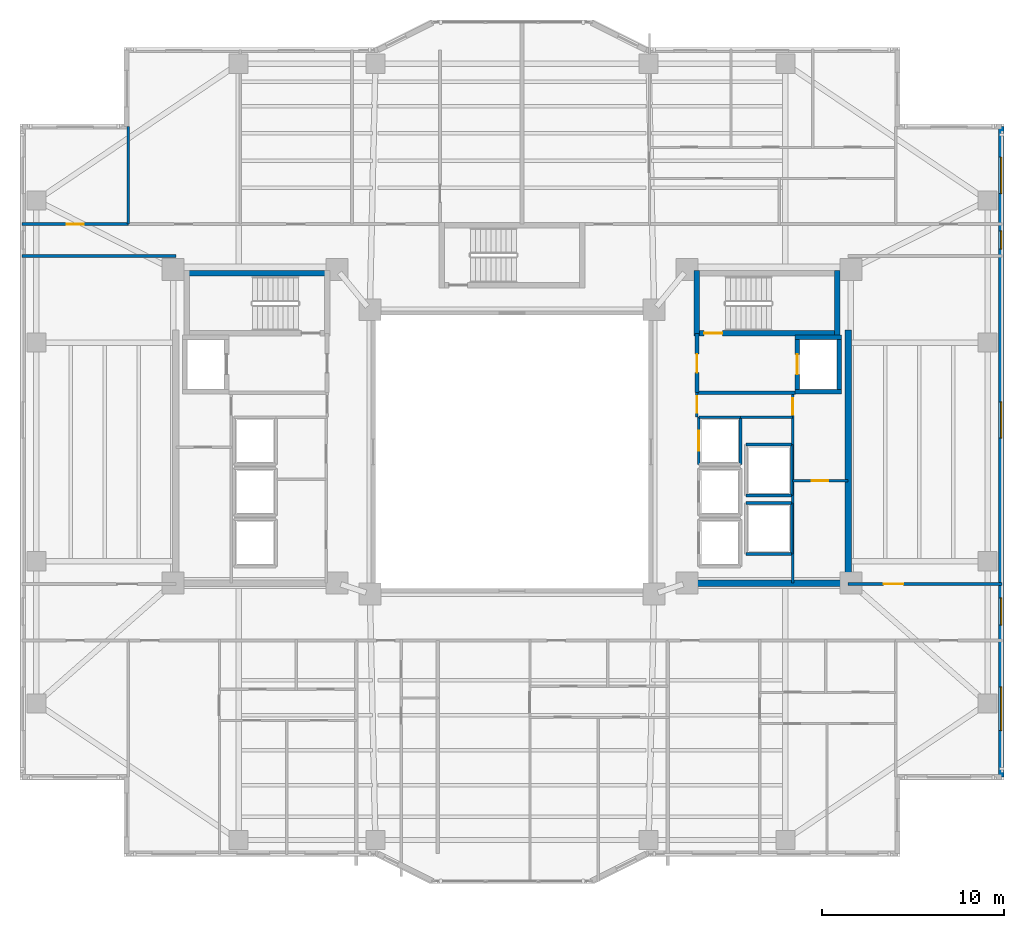
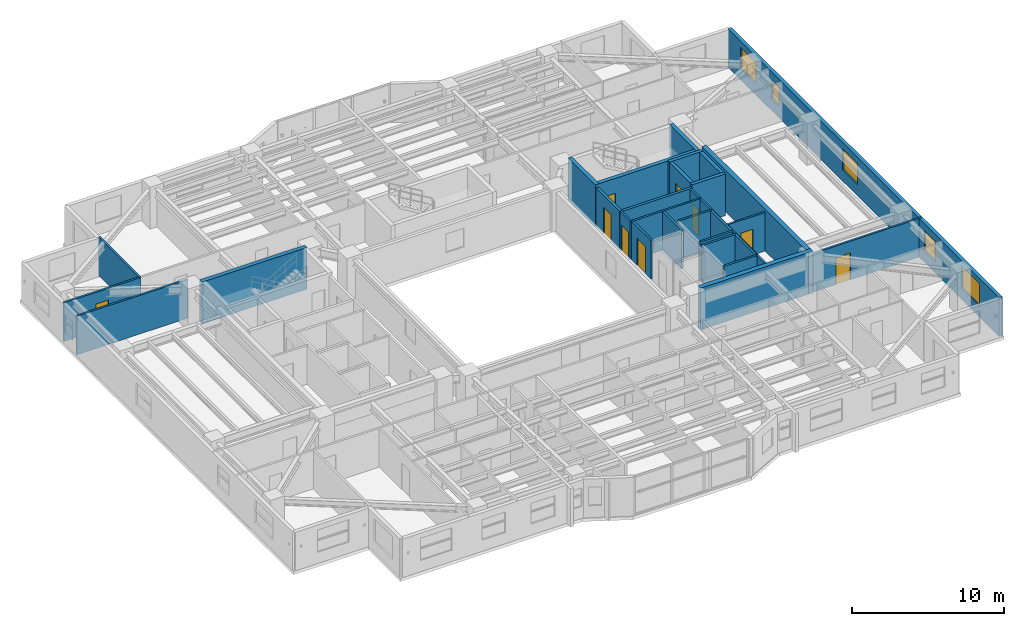
# One storey, part 9 of 18: 30 walls, 9 doors, 5 windows, 14 openings.
"""IFC4 building model written with IfcOpenShell, lengths in metres."""

import ifcopenshell
import ifcopenshell.guid

model = None  # the IFC model being written
_history = None  # IfcOwnerHistory: only IFC2X3 demands one
_inside = {}  # id of a spatial element -> (the spatial element, [elements in it])
_under = {}  # id of a project, library or spatial element -> (it, [spatial elements below it])
_declared = {}  # id of a project -> (the project, [libraries it declares])
_typed = {}  # id of a type object -> (the type object, [elements of that type])
_made_of = {}  # id of a material, layer set ... -> (it, [elements and type objects made of it])


def new_model(schema):
    """Start an empty IFC model of exactly this schema.

    Asked for "IFC4X3", IfcOpenShell would pick the latest addendum, in which some entities
    have other attributes; the version numbers below select the first issue.
    IFC2X3 requires an IfcOwnerHistory on every rooted entity: one is made here for all.
    """
    global model, _history
    if schema == "IFC4X3":
        model = ifcopenshell.file(schema_version=(4, 3, 0, 0))
    else:
        model = ifcopenshell.file(schema=schema)
    _inside.clear()
    _under.clear()
    _declared.clear()
    _typed.clear()
    _made_of.clear()
    _history = None
    if model.schema == "IFC2X3":
        org = make("IfcOrganization", Name="unknown")
        user = make(
            "IfcPersonAndOrganization",
            ThePerson=make("IfcPerson", FamilyName="unknown"),
            TheOrganization=org,
        )
        app = make(
            "IfcApplication",
            ApplicationDeveloper=org,
            Version="unknown",
            ApplicationFullName="unknown",
            ApplicationIdentifier="unknown",
        )
        _history = make(
            "IfcOwnerHistory",
            OwningUser=user,
            OwningApplication=app,
            ChangeAction="ADDED",
            CreationDate=0,
        )
    return model


def make(cls, **values):
    """One entity of the class cls with the attributes given. An attribute that is None is left unset."""
    return model.create_entity(
        cls, **{name: value for name, value in values.items() if value is not None}
    )


def rooted(cls, **values):
    """An entity with a GlobalId (a new one), such as an element, a storey or a relation."""
    return make(cls, GlobalId=ifcopenshell.guid.new(), OwnerHistory=_history, **values)


def si_unit(unit_type, name, prefix=None):
    """IfcSIUnit, for example si_unit("LENGTHUNIT", "METRE", prefix="MILLI")."""
    return make("IfcSIUnit", UnitType=unit_type, Prefix=prefix, Name=name)


def assignment(units):
    """IfcUnitAssignment: the units of a project."""
    return None if units is None else make("IfcUnitAssignment", Units=units)


def point(xyz):
    """IfcCartesianPoint."""
    return None if xyz is None else make("IfcCartesianPoint", Coordinates=xyz)


def direction(xyz):
    """IfcDirection."""
    return None if xyz is None else make("IfcDirection", DirectionRatios=xyz)


def frame(location, z_axis=None, x_axis=None):
    """IfcAxis2Placement3D, a coordinate frame: its origin and axes. An axis left out is left unset."""
    return make(
        "IfcAxis2Placement3D",
        Location=point(location),
        Axis=direction(z_axis),
        RefDirection=direction(x_axis),
    )


def frame_2d(location, x_axis=None):
    """IfcAxis2Placement2D, a coordinate frame in the plane: its origin and x axis."""
    return make(
        "IfcAxis2Placement2D", Location=point(location), RefDirection=direction(x_axis)
    )


def origin():
    """The frame at (0, 0, 0) with its axes left unset."""
    return frame((0.0, 0.0, 0.0))


def place(relative_to, where):
    """IfcLocalPlacement: puts the frame where relative to a parent placement (None: the world)."""
    return make(
        "IfcLocalPlacement", PlacementRelTo=relative_to, RelativePlacement=where
    )


def context(
    kind, dimensions, precision=None, world=None, true_north=None, identifier=None
):
    """IfcGeometricRepresentationContext, for example the 3D "Model" context."""
    return make(
        "IfcGeometricRepresentationContext",
        ContextIdentifier=identifier,
        ContextType=kind,
        CoordinateSpaceDimension=dimensions,
        Precision=precision,
        WorldCoordinateSystem=world,
        TrueNorth=true_north,
    )


def subcontext(parent, identifier, kind, view, scale=None):
    """IfcGeometricRepresentationSubContext, for example "Body" below "Model"."""
    return make(
        "IfcGeometricRepresentationSubContext",
        ContextIdentifier=identifier,
        ContextType=kind,
        ParentContext=parent,
        TargetScale=scale,
        TargetView=view,
    )


def project(units=None, contexts=None):
    """IfcProject with its units and contexts."""
    return rooted(
        "IfcProject",
        Name="project",
        RepresentationContexts=contexts,
        UnitsInContext=assignment(units),
    )


def spatial(cls, under=None, at=None, **own):
    """A site, building, storey or space (cls), placed at a placement, below another one or the project."""
    s = rooted(cls, ObjectPlacement=at, **own)
    if under is not None:
        _under.setdefault(under.id(), (under, []))[1].append(s)
    return s


def profile(cls, at=None, kind="AREA", **sizes):
    """A parametric profile (cls). Its sizes go by their IFC names, for example OverallWidth=200.0."""
    return make(cls, ProfileType=kind, Position=at, **sizes)


def rectangle(**sizes):
    """IfcRectangleProfileDef."""
    return profile("IfcRectangleProfileDef", **sizes)


def extrude(swept, where, along, depth):
    """IfcExtrudedAreaSolid: the profile swept, set in the frame where, extruded along a direction by depth."""
    return make(
        "IfcExtrudedAreaSolid",
        SweptArea=swept,
        Position=where,
        ExtrudedDirection=direction(along),
        Depth=depth,
    )


def shape(context_of_items, identifier, shape_type, items):
    """IfcShapeRepresentation: the items that make up one representation, for example the "Body"."""
    return make(
        "IfcShapeRepresentation",
        ContextOfItems=context_of_items,
        RepresentationIdentifier=identifier,
        RepresentationType=shape_type,
        Items=items,
    )


def material(Name=None, Category=None):
    """IfcMaterial."""
    return make("IfcMaterial", Name=Name, Category=Category)


def layer(
    of_material, thickness, ventilated=None, Name=None, Category=None, Priority=None
):
    """IfcMaterialLayer: one layer of a wall or slab, of a material (None: an air gap)."""
    return make(
        "IfcMaterialLayer",
        Material=of_material,
        LayerThickness=thickness,
        IsVentilated=ventilated,
        Name=Name,
        Category=Category,
        Priority=Priority,
    )


def layer_set(layers, Name=None):
    """IfcMaterialLayerSet."""
    return make("IfcMaterialLayerSet", MaterialLayers=layers, LayerSetName=Name)


def made_of(thing, what):
    """Note that an element or type object is made of a material, layer set ...; save() writes the relation."""
    if what is not None:
        _made_of.setdefault(what.id(), (what, []))[1].append(thing)
    return thing


def type_object(cls, material=None, **own):
    """A type object (cls), such as IfcWallType, which elements share."""
    return made_of(rooted(cls, **own), material)


def element(
    cls,
    number,
    at=None,
    inside=None,
    cuts=None,
    type_object=None,
    material=None,
    context=None,
    identifier="Body",
    shape_type=None,
    held_by="IfcProductDefinitionShape",
    body=None,
    shapes=None,
    **own,
):
    """One element of the class cls, such as IfcWall. Its Tag is "e" and its number.

    at: its placement. inside: the storey or other place that contains it. cuts: it is an
    opening in that element (IfcRelVoidsElement). A single representation is given by context,
    identifier, shape_type and body (its items); several are given by shapes. held_by: the class
    of the entity that holds the representations. save() writes the other relations.
    """
    e = rooted(cls, Tag="e%d" % number, ObjectPlacement=at, **own)
    if body is not None:
        shapes = [shape(context, identifier, shape_type, body)]
    if shapes is not None:
        e.Representation = make(held_by, Representations=shapes)
    if inside is not None:
        _inside.setdefault(inside.id(), (inside, []))[1].append(e)
    if cuts is not None:
        rooted(
            "IfcRelVoidsElement", RelatingBuildingElement=cuts, RelatedOpeningElement=e
        )
    if type_object is not None:
        _typed.setdefault(type_object.id(), (type_object, []))[1].append(e)
    return made_of(e, material)


def fill(opening, filler):
    """IfcRelFillsElement: the door or window that sits in an opening."""
    return rooted(
        "IfcRelFillsElement",
        RelatingOpeningElement=opening,
        RelatedBuildingElement=filler,
    )


def aggregate(whole, parts):
    """IfcRelAggregates: a whole, such as a stair, and the parts it consists of."""
    return rooted("IfcRelAggregates", RelatingObject=whole, RelatedObjects=parts)


def save(model, path):
    """Write the relations noted so far, then the file.

    IfcRelAggregates (storeys below a building ...), IfcRelContainedInSpatialStructure (elements
    in a storey), IfcRelDefinesByType, IfcRelAssociatesMaterial and IfcRelDeclares: one each for
    every whole, place, type object, material and project.
    """
    for whole, parts in _under.values():
        aggregate(whole, parts)
    for where, things in _inside.values():
        rooted(
            "IfcRelContainedInSpatialStructure",
            RelatedElements=things,
            RelatingStructure=where,
        )
    for kind, things in _typed.values():
        rooted("IfcRelDefinesByType", RelatedObjects=things, RelatingType=kind)
    for what, things in _made_of.values():
        rooted("IfcRelAssociatesMaterial", RelatedObjects=things, RelatingMaterial=what)
    for by, libraries in _declared.values():
        rooted("IfcRelDeclares", RelatingContext=by, RelatedDefinitions=libraries)
    model.write(path)


model = new_model("IFC4")

# Units and contexts
model_context = context("Model", 3, precision=1e-05, world=origin(), true_north=direction((0.0, 1.0)))
body_context = subcontext(model_context, "Body", "Model", "MODEL_VIEW")
ifc_project = project(units=[si_unit("LENGTHUNIT", "METRE"), si_unit("AREAUNIT", "SQUARE_METRE"), si_unit("VOLUMEUNIT", "CUBIC_METRE"), si_unit("PLANEANGLEUNIT", "RADIAN"), si_unit("MASSUNIT", "GRAM", prefix="KILO")], contexts=[model_context])

# Site, building, storey
site_placement = place(None, origin())
site = spatial("IfcSite", under=ifc_project, at=site_placement, CompositionType="ELEMENT")
building_placement = place(site_placement, origin())
building = spatial("IfcBuilding", under=site, at=building_placement, Name="Tarnavaz Court Tower", CompositionType="ELEMENT")
storey_placement = place(building_placement, frame((0.0, 0.0, 85.0)))
storey = spatial("IfcBuildingStorey", under=building, at=storey_placement, Name="L22", CompositionType="ELEMENT", Elevation=85.0)

# Wall, opening, door
ifc_material_1 = material(Name="Concrete C60/75", Category="concrete")
ifc_layer_1 = layer(ifc_material_1, 0.25)
ifc_layer_set_1 = layer_set([ifc_layer_1], Name="Concrete C60/75")
wall_type_1 = type_object("IfcWallType", Name="WL-CORE-250-C60", PredefinedType="SHEAR", material=ifc_layer_set_1)
wall_1_placement = place(storey_placement, frame((15.64990234375, 3.175048828125, 0.0), z_axis=(0.0, 0.0, 1.0), x_axis=(0.0, 1.0, 0.0)))
wall_1 = element("IfcWall", 1, at=wall_1_placement, inside=storey, type_object=wall_type_1, Name="L22 Lift FL-E1 Shaft Wall 033", PredefinedType="SHEAR", context=body_context, shape_type="SweptSolid", body=[
    extrude(rectangle(XDim=3.25, YDim=0.25, at=frame_2d((1.625, 0.0))), origin(), (0.0, 0.0, 1.0), 3.35009765625),
])
opening_1_placement = place(wall_1_placement, frame((1.074951171875, 0.0, 0.0)))
opening_1 = element("IfcOpeningElement", 2, at=opening_1_placement, cuts=wall_1, Name="Opening LD1", PredefinedType="OPENING", context=body_context, shape_type="SweptSolid", body=[
    extrude(rectangle(XDim=1.10009765625, YDim=2.14990234375, at=frame_2d((0.550048828125, 1.074951171875))), frame((0.0, 0.135009765625, 0.0), z_axis=(0.0, -1.0, 0.0), x_axis=(1.0, 0.0, 0.0)), (0.0, 0.0, 1.0), 0.27001953125),
])
ifc_material_2 = material(Name="Stainless Steel", Category="steel")
door_type_1 = type_object("IfcDoorType", Name="DR-LD-1100", OperationType="NOTDEFINED", PredefinedType="DOOR", material=ifc_material_2)
door_1_placement = place(opening_1_placement, origin())
door_1 = element("IfcDoor", 3, at=door_1_placement, inside=storey, type_object=door_type_1, Name="L22 Lift Landing Door LD-FL-E1", OperationType="SLIDING_TO_LEFT", OverallHeight=2.14990234375, OverallWidth=1.10009765625, PredefinedType="DOOR", context=body_context, shape_type="SweptSolid", body=[
    extrude(rectangle(XDim=1.10009765625, YDim=2.14990234375, at=frame_2d((0.550048828125, 1.074951171875))), frame((0.0, 0.02490234375, 0.0), z_axis=(0.0, -1.0, 0.0), x_axis=(1.0, 0.0, 0.0)), (0.0, 0.0, 1.0), 0.050048828125),
])
fill(opening_1, door_1)

# Walls
wall_2_placement = place(storey_placement, frame((17.949951171875, 3.175048828125, 0.0), z_axis=(0.0, 0.0, 1.0), x_axis=(0.0, 1.0, 0.0)))
element("IfcWall", 4, at=wall_2_placement, inside=storey, type_object=wall_type_1, Name="L22 Lift FL-E1 Shaft Wall 034", PredefinedType="SHEAR", context=body_context, shape_type="SweptSolid", body=[
    extrude(rectangle(XDim=3.25, YDim=0.25, at=frame_2d((1.625, 0.0))), origin(), (0.0, 0.0, 1.0), 3.35009765625),
])
for number, where, z_axis, x_axis, name in (
    (5, (15.52490234375, 3.300048828125, 0.0), (0.0, 0.0, 1.0), (1.0, 0.0, 0.0), "L22 Lift FL-E1 Shaft Wall 035"),
    (6, (15.52490234375, 6.300048828125, 0.0), (0.0, 0.0, 1.0), (1.0, 0.0, 0.0), "L22 Lift FL-E1 Shaft Wall 036"),
):
    element("IfcWall", number, at=place(storey_placement, frame(where, z_axis=z_axis, x_axis=x_axis)), inside=storey, type_object=wall_type_1, Name=name, PredefinedType="SHEAR", context=body_context, shape_type="SweptSolid", body=[
        extrude(rectangle(XDim=2.550048828125, YDim=0.25, at=frame_2d((1.27490234375, 0.0))), origin(), (0.0, 0.0, 1.0), 3.35009765625),
    ])
ifc_layer_2 = layer(ifc_material_1, 0.300048828125)
ifc_layer_set_2 = layer_set([ifc_layer_2], Name="Concrete C60/75")
wall_type_2 = type_object("IfcWallType", Name="WL-CORE-300-C60", PredefinedType="SHEAR", material=ifc_layer_set_2)
wall_3_placement = place(storey_placement, frame((-18.0, 9.7900390625, 0.0), z_axis=(0.0, 0.0, 1.0), x_axis=(1.0, 0.0, 0.0)))
element("IfcWall", 7, at=wall_3_placement, inside=storey, type_object=wall_type_2, Name="L22 West Stair Core Wall 001", PredefinedType="SHEAR", context=body_context, shape_type="SweptSolid", body=[
    extrude(rectangle(XDim=8.0, YDim=0.300048828125, at=frame_2d((4.0, 0.0))), origin(), (0.0, 0.0, 1.0), 3.35009765625),
])

# Wall, opening, door
wall_4_placement = place(storey_placement, frame((10.0, 6.5, 0.0), z_axis=(0.0, 0.0, 1.0), x_axis=(1.0, 0.0, 0.0)))
wall_4 = element("IfcWall", 8, at=wall_4_placement, inside=storey, type_object=wall_type_2, Name="L22 East Stair Core Wall 006", PredefinedType="SHEAR", context=body_context, shape_type="SweptSolid", body=[
    extrude(rectangle(XDim=8.0, YDim=0.300048828125, at=frame_2d((4.0, 0.0))), origin(), (0.0, 0.0, 1.0), 3.35009765625),
])
opening_2_placement = place(wall_4_placement, frame((0.550048828125, 0.0, 0.0)))
opening_2 = element("IfcOpeningElement", 9, at=opening_2_placement, cuts=wall_4, Name="Opening D01", PredefinedType="OPENING", context=body_context, shape_type="SweptSolid", body=[
    extrude(rectangle(XDim=1.0, YDim=2.14990234375, at=frame_2d((0.5, 1.074951171875))), frame((0.0, 0.159912109375, 0.0), z_axis=(0.0, -1.0, 0.0), x_axis=(1.0, 0.0, 0.0)), (0.0, 0.0, 1.0), 0.320068359375),
])
ifc_material_3 = material(Name="Fire-Rated Hardwood Timber Core", Category="wood")
door_type_2 = type_object("IfcDoorType", Name="DR-FD90-1000", OperationType="NOTDEFINED", PredefinedType="DOOR", material=ifc_material_3)
door_2_placement = place(opening_2_placement, origin())
door_2 = element("IfcDoor", 10, at=door_2_placement, inside=storey, type_object=door_type_2, Name="L22 Stair ST-E1 Exit Door", OperationType="SINGLE_SWING_RIGHT", OverallHeight=2.14990234375, OverallWidth=1.0, PredefinedType="DOOR", context=body_context, shape_type="SweptSolid", body=[
    extrude(rectangle(XDim=1.0, YDim=2.14990234375, at=frame_2d((0.5, 1.074951171875))), frame((0.0, 0.02490234375, 0.0), z_axis=(0.0, -1.0, 0.0), x_axis=(1.0, 0.0, 0.0)), (0.0, 0.0, 1.0), 0.050048828125),
])
fill(opening_2, door_2)

# Walls
for number, where, z_axis, x_axis, name in (
    (11, (10.14990234375, 6.35009765625, 0.0), (0.0, 0.0, 1.0), (0.0, 1.0, 0.0), "L22 East Stair Core Wall 007"),
    (12, (17.85009765625, 6.35009765625, 0.0), (0.0, 0.0, 1.0), (0.0, 1.0, 0.0), "L22 East Stair Core Wall 008"),
):
    element("IfcWall", number, at=place(storey_placement, frame(where, z_axis=z_axis, x_axis=x_axis)), inside=storey, type_object=wall_type_2, Name=name, PredefinedType="SHEAR", context=body_context, shape_type="SweptSolid", body=[
        extrude(rectangle(XDim=3.58984375, YDim=0.300048828125, at=frame_2d((1.794921875, 0.0))), origin(), (0.0, 0.0, 1.0), 3.35009765625),
    ])
ifc_layer_3 = layer(ifc_material_1, 0.35009765625)
ifc_layer_set_3 = layer_set([ifc_layer_3], Name="Concrete C60/75")
wall_type_3 = type_object("IfcWallType", Name="WL-CORE-350-C60", PredefinedType="SHEAR", material=ifc_layer_set_3)
wall_5_placement = place(storey_placement, frame((18.449951171875, -7.375, 0.0), z_axis=(0.0, 0.0, 1.0), x_axis=(0.0, 1.0, 0.0)))
element("IfcWall", 13, at=wall_5_placement, inside=storey, type_object=wall_type_3, Name="L22 East Core Shear Wall 059", PredefinedType="SHEAR", context=body_context, shape_type="SweptSolid", body=[
    extrude(rectangle(XDim=14.050048828125, YDim=0.35009765625, at=frame_2d((7.02490234375, 0.0))), origin(), (0.0, 0.0, 1.0), 3.35009765625),
])
wall_6_placement = place(storey_placement, frame((10.074951171875, -7.199951171875, 0.0), z_axis=(0.0, 0.0, 1.0), x_axis=(1.0, 0.0, 0.0)))
element("IfcWall", 14, at=wall_6_placement, inside=storey, type_object=wall_type_3, Name="L22 East Core South Shear Wall 060", PredefinedType="SHEAR", context=body_context, shape_type="SweptSolid", body=[
    extrude(rectangle(XDim=8.550048828125, YDim=0.35009765625, at=frame_2d((4.27490234375, 0.0))), origin(), (0.0, 0.0, 1.0), 3.35009765625),
])

# Wall, openings, windows
ifc_material_4 = material(Name="Precast Concrete C40/50", Category="concrete")
ifc_layer_4 = layer(ifc_material_4, 0.280029296875)
ifc_layer_set_4 = layer_set([ifc_layer_4], Name="Precast Concrete C40/50")
wall_type_4 = type_object("IfcWallType", Name="WL-EXT-280", PredefinedType="SOLIDWALL", material=ifc_layer_set_4)
wall_7_placement = place(storey_placement, frame((26.85009765625, 17.85009765625, 0.0), z_axis=(0.0, 0.0, 1.0), x_axis=(0.0, -1.0, 0.0)))
wall_7 = element("IfcWall", 15, at=wall_7_placement, inside=storey, type_object=wall_type_4, Name="L22 Exterior Terracotta Facade Wall 12", PredefinedType="SOLIDWALL", context=body_context, shape_type="SweptSolid", body=[
    extrude(rectangle(XDim=35.7001953125, YDim=0.280029296875, at=frame_2d((17.85009765625, 0.0))), origin(), (0.0, 0.0, 1.0), 3.10009765625),
])
opening_3_placement = place(wall_7_placement, frame((1.675048828125, 0.0, 0.89990234375)))
opening_3 = element("IfcOpeningElement", 16, at=opening_3_placement, cuts=wall_7, Name="Opening W08", PredefinedType="OPENING", context=body_context, shape_type="SweptSolid", body=[
    extrude(rectangle(XDim=2.0, YDim=1.699951171875, at=frame_2d((1.0, 0.85009765625))), frame((0.0, 0.14990234375, 0.0), z_axis=(0.0, -1.0, 0.0), x_axis=(1.0, 0.0, 0.0)), (0.0, 0.0, 1.0), 0.300048828125),
])
opening_4_placement = place(wall_7_placement, frame((5.72509765625, 0.0, 0.949951171875)))
opening_4 = element("IfcOpeningElement", 17, at=opening_4_placement, cuts=wall_7, Name="Opening W14", PredefinedType="OPENING", context=body_context, shape_type="SweptSolid", body=[
    extrude(rectangle(XDim=1.0, YDim=1.5, at=frame_2d((0.5, 0.75))), frame((0.0, 0.14990234375, 0.0), z_axis=(0.0, -1.0, 0.0), x_axis=(1.0, 0.0, 0.0)), (0.0, 0.0, 1.0), 0.300048828125),
])
opening_5_placement = place(wall_7_placement, frame((15.10009765625, 0.0, 0.89990234375)))
opening_5 = element("IfcOpeningElement", 18, at=opening_5_placement, cuts=wall_7, Name="Opening W08", PredefinedType="OPENING", context=body_context, shape_type="SweptSolid", body=[
    extrude(rectangle(XDim=2.0, YDim=1.699951171875, at=frame_2d((1.0, 0.85009765625))), frame((0.0, 0.14990234375, 0.0), z_axis=(0.0, -1.0, 0.0), x_axis=(1.0, 0.0, 0.0)), (0.0, 0.0, 1.0), 0.300048828125),
])
opening_6_placement = place(wall_7_placement, frame((25.857421875, 0.0, 0.89990234375)))
opening_6 = element("IfcOpeningElement", 19, at=opening_6_placement, cuts=wall_7, Name="Opening W03", PredefinedType="OPENING", context=body_context, shape_type="SweptSolid", body=[
    extrude(rectangle(XDim=1.5, YDim=1.64990234375, at=frame_2d((0.75, 0.824951171875))), frame((0.0, 0.14990234375, 0.0), z_axis=(0.0, -1.0, 0.0), x_axis=(1.0, 0.0, 0.0)), (0.0, 0.0, 1.0), 0.300048828125),
])
opening_7_placement = place(wall_7_placement, frame((30.75, 0.0, 0.89990234375)))
opening_7 = element("IfcOpeningElement", 20, at=opening_7_placement, cuts=wall_7, Name="Opening W06", PredefinedType="OPENING", context=body_context, shape_type="SweptSolid", body=[
    extrude(rectangle(XDim=2.39990234375, YDim=1.800048828125, at=frame_2d((1.199951171875, 0.89990234375))), frame((0.0, 0.14990234375, 0.0), z_axis=(0.0, -1.0, 0.0), x_axis=(1.0, 0.0, 0.0)), (0.0, 0.0, 1.0), 0.300048828125),
])
ifc_material_5 = material(Name="Double-Glazed Solar Low-E Glass", Category="glass")
window_type_1 = type_object("IfcWindowType", Name="WN-APT-1000", PartitioningType="SINGLE_PANEL", PredefinedType="WINDOW", material=ifc_material_5)
window_1_placement = place(opening_4_placement, origin())
window_1 = element("IfcWindow", 21, at=window_1_placement, inside=storey, type_object=window_type_1, Name="L22 North-East Corner Corridor Window", OverallHeight=1.5, OverallWidth=1.0, PartitioningType="SINGLE_PANEL", PredefinedType="WINDOW", context=body_context, shape_type="SweptSolid", body=[
    extrude(rectangle(XDim=1.0, YDim=1.5, at=frame_2d((0.5, 0.75))), frame((0.0, 0.030029296875, 0.0), z_axis=(0.0, -1.0, 0.0), x_axis=(1.0, 0.0, 0.0)), (0.0, 0.0, 1.0), 0.06005859375),
])
fill(opening_4, window_1)
window_type_2 = type_object("IfcWindowType", Name="WN-APT-1500", PartitioningType="DOUBLE_PANEL_VERTICAL", PredefinedType="WINDOW", material=ifc_material_5)
window_2_placement = place(opening_6_placement, origin())
window_2 = element("IfcWindow", 22, at=window_2_placement, inside=storey, type_object=window_type_2, Name="L22 South-East Corner Corridor Window", OverallHeight=1.64990234375, OverallWidth=1.5, PartitioningType="SINGLE_PANEL", PredefinedType="WINDOW", context=body_context, shape_type="SweptSolid", body=[
    extrude(rectangle(XDim=1.5, YDim=1.64990234375, at=frame_2d((0.75, 0.824951171875))), frame((0.0, 0.030029296875, 0.0), z_axis=(0.0, -1.0, 0.0), x_axis=(1.0, 0.0, 0.0)), (0.0, 0.0, 1.0), 0.06005859375),
])
fill(opening_6, window_2)
window_type_3 = type_object("IfcWindowType", Name="WN-APT-2000", PartitioningType="DOUBLE_PANEL_VERTICAL", PredefinedType="WINDOW", material=ifc_material_5)
window_3_placement = place(opening_3_placement, origin())
window_3 = element("IfcWindow", 23, at=window_3_placement, inside=storey, type_object=window_type_3, Name="L22 North-East Corner Sunroom Study Window", OverallHeight=1.699951171875, OverallWidth=2.0, PartitioningType="SINGLE_PANEL", PredefinedType="WINDOW", context=body_context, shape_type="SweptSolid", body=[
    extrude(rectangle(XDim=2.0, YDim=1.699951171875, at=frame_2d((1.0, 0.85009765625))), frame((0.0, 0.030029296875, 0.0), z_axis=(0.0, -1.0, 0.0), x_axis=(1.0, 0.0, 0.0)), (0.0, 0.0, 1.0), 0.06005859375),
])
fill(opening_3, window_3)
window_4_placement = place(opening_5_placement, origin())
window_4 = element("IfcWindow", 24, at=window_4_placement, inside=storey, type_object=window_type_3, Name="L22 East Wing Resident Fitness Lounge Window", OverallHeight=1.699951171875, OverallWidth=2.0, PartitioningType="SINGLE_PANEL", PredefinedType="WINDOW", context=body_context, shape_type="SweptSolid", body=[
    extrude(rectangle(XDim=2.0, YDim=1.699951171875, at=frame_2d((1.0, 0.85009765625))), frame((0.0, 0.030029296875, 0.0), z_axis=(0.0, -1.0, 0.0), x_axis=(1.0, 0.0, 0.0)), (0.0, 0.0, 1.0), 0.06005859375),
])
fill(opening_5, window_4)
window_type_4 = type_object("IfcWindowType", Name="WN-APT-2400", PartitioningType="TRIPLE_PANEL_VERTICAL", PredefinedType="WINDOW", material=ifc_material_5)
window_5_placement = place(opening_7_placement, origin())
window_5 = element("IfcWindow", 25, at=window_5_placement, inside=storey, type_object=window_type_4, Name="L22 South-East Corner Reading Room Window", OverallHeight=1.800048828125, OverallWidth=2.39990234375, PartitioningType="SINGLE_PANEL", PredefinedType="WINDOW", context=body_context, shape_type="SweptSolid", body=[
    extrude(rectangle(XDim=2.39990234375, YDim=1.800048828125, at=frame_2d((1.199951171875, 0.89990234375))), frame((0.0, 0.030029296875, 0.0), z_axis=(0.0, -1.0, 0.0), x_axis=(1.0, 0.0, 0.0)), (0.0, 0.0, 1.0), 0.06005859375),
])
fill(opening_7, window_5)

# Wall
ifc_material_6 = material(Name="Gypsum Fire-Board on Acoustic Metal Stud", Category="masonry")
ifc_layer_5 = layer(ifc_material_6, 0.14990234375)
ifc_layer_set_5 = layer_set([ifc_layer_5], Name="Gypsum Fire-Board on Acoustic Metal Stud")
wall_type_5 = type_object("IfcWallType", Name="WL-FIRE-150", PredefinedType="PARTITIONING", material=ifc_layer_set_5)
wall_8_placement = place(storey_placement, frame((-26.8798828125, 10.75, 0.0), z_axis=(0.0, 0.0, 1.0), x_axis=(1.0, 0.0, 0.0)))
element("IfcWall", 26, at=wall_8_placement, inside=storey, type_object=wall_type_5, Name="L22 Interior Partition 112", PredefinedType="PARTITIONING", context=body_context, shape_type="SweptSolid", body=[
    extrude(rectangle(XDim=8.429931640625, YDim=0.14990234375, at=frame_2d((4.21484375, 0.0))), origin(), (0.0, 0.0, 1.0), 3.10009765625),
])

# Wall, opening, door
wall_9_placement = place(storey_placement, frame((18.449951171875, -7.25, 0.0), z_axis=(0.0, 0.0, 1.0), x_axis=(1.0, 0.0, 0.0)))
wall_9 = element("IfcWall", 27, at=wall_9_placement, inside=storey, type_object=wall_type_5, Name="L22 Interior Partition 113", PredefinedType="PARTITIONING", context=body_context, shape_type="SweptSolid", body=[
    extrude(rectangle(XDim=8.429931640625, YDim=0.14990234375, at=frame_2d((4.21484375, 0.0))), origin(), (0.0, 0.0, 1.0), 3.10009765625),
])
opening_8_placement = place(wall_9_placement, frame((1.949951171875, 0.0, 0.0)))
opening_8 = element("IfcOpeningElement", 28, at=opening_8_placement, cuts=wall_9, Name="Opening D12", PredefinedType="OPENING", context=body_context, shape_type="SweptSolid", body=[
    extrude(rectangle(XDim=1.080078125, YDim=2.14990234375, at=frame_2d((0.5400390625, 1.074951171875))), frame((0.0, 0.0849609375, 0.0), z_axis=(0.0, -1.0, 0.0), x_axis=(1.0, 0.0, 0.0)), (0.0, 0.0, 1.0), 0.169921875),
])
ifc_material_7 = material(Name="Engineered Oak Timber", Category="wood")
door_type_3 = type_object("IfcDoorType", Name="DR-INT-1100", OperationType="NOTDEFINED", PredefinedType="DOOR", material=ifc_material_7)
door_3_placement = place(opening_8_placement, origin())
door_3 = element("IfcDoor", 29, at=door_3_placement, inside=storey, type_object=door_type_3, Name="L22 East Fitness Lounge Door", OperationType="SINGLE_SWING_RIGHT", OverallHeight=2.14990234375, OverallWidth=1.080078125, PredefinedType="DOOR", context=body_context, shape_type="SweptSolid", body=[
    extrude(rectangle(XDim=1.080078125, YDim=2.14990234375, at=frame_2d((0.5400390625, 1.074951171875))), frame((0.0, 0.02490234375, 0.0), z_axis=(0.0, -1.0, 0.0), x_axis=(1.0, 0.0, 0.0)), (0.0, 0.0, 1.0), 0.050048828125),
])
fill(opening_8, door_3)

wall_10_placement = place(storey_placement, frame((-26.8798828125, 12.5, 0.0), z_axis=(0.0, 0.0, 1.0), x_axis=(1.0, 0.0, 0.0)))
wall_10 = element("IfcWall", 30, at=wall_10_placement, inside=storey, type_object=wall_type_5, Name="L22 Interior Partition 119", PredefinedType="PARTITIONING", context=body_context, shape_type="SweptSolid", body=[
    extrude(rectangle(XDim=5.829833984375, YDim=0.14990234375, at=frame_2d((2.9150390625, 0.0))), origin(), (0.0, 0.0, 1.0), 3.10009765625),
])
opening_9_placement = place(wall_10_placement, frame((2.43994140625, 0.0, 0.0)))
opening_9 = element("IfcOpeningElement", 31, at=opening_9_placement, cuts=wall_10, Name="Opening D13", PredefinedType="OPENING", context=body_context, shape_type="SweptSolid", body=[
    extrude(rectangle(XDim=0.949951171875, YDim=2.14990234375, at=frame_2d((0.47509765625, 1.074951171875))), frame((0.0, 0.0849609375, 0.0), z_axis=(0.0, -1.0, 0.0), x_axis=(1.0, 0.0, 0.0)), (0.0, 0.0, 1.0), 0.169921875),
])
door_type_4 = type_object("IfcDoorType", Name="DR-INT-950", OperationType="NOTDEFINED", PredefinedType="DOOR", material=ifc_material_7)
door_4_placement = place(opening_9_placement, origin())
door_4 = element("IfcDoor", 32, at=door_4_placement, inside=storey, type_object=door_type_4, Name="L22 NW Sunroom Door", OperationType="SINGLE_SWING_LEFT", OverallHeight=2.14990234375, OverallWidth=0.949951171875, PredefinedType="DOOR", context=body_context, shape_type="SweptSolid", body=[
    extrude(rectangle(XDim=0.949951171875, YDim=2.14990234375, at=frame_2d((0.47509765625, 1.074951171875))), frame((0.0, 0.02490234375, 0.0), z_axis=(0.0, -1.0, 0.0), x_axis=(1.0, 0.0, 0.0)), (0.0, 0.0, 1.0), 0.050048828125),
])
fill(opening_9, door_4)

# Wall
ifc_material_8 = material(Name="Autoclaved Aerated Concrete Blockwork", Category="masonry")
ifc_layer_6 = layer(ifc_material_8, 0.199951171875)
ifc_layer_set_6 = layer_set([ifc_layer_6], Name="Autoclaved Aerated Concrete Blockwork")
wall_type_6 = type_object("IfcWallType", Name="WL-FIRE-200", PredefinedType="SOLIDWALL", material=ifc_layer_set_6)
wall_11_placement = place(storey_placement, frame((10.14990234375, 3.25, 0.0), z_axis=(0.0, 0.0, 1.0), x_axis=(1.0, 0.0, 0.0)))
element("IfcWall", 33, at=wall_11_placement, inside=storey, type_object=wall_type_6, Name="L22 East Firefighting Lobby Wall 015", PredefinedType="SOLIDWALL", context=body_context, shape_type="SweptSolid", body=[
    extrude(rectangle(XDim=5.400146484375, YDim=0.199951171875, at=frame_2d((2.7001953125, 0.0))), origin(), (0.0, 0.0, 1.0), 3.10009765625),
])

# Wall, opening, door
wall_12_placement = place(storey_placement, frame((10.14990234375, 3.25, 0.0), z_axis=(0.0, 0.0, 1.0), x_axis=(0.0, 1.0, 0.0)))
wall_12 = element("IfcWall", 34, at=wall_12_placement, inside=storey, type_object=wall_type_6, Name="L22 East Firefighting Lobby Wall 016", PredefinedType="SOLIDWALL", context=body_context, shape_type="SweptSolid", body=[
    extrude(rectangle(XDim=3.25, YDim=0.199951171875, at=frame_2d((1.625, 0.0))), origin(), (0.0, 0.0, 1.0), 3.10009765625),
])
opening_10_placement = place(wall_12_placement, frame((1.10009765625, 0.0, 0.0)))
opening_10 = element("IfcOpeningElement", 35, at=opening_10_placement, cuts=wall_12, Name="Opening D05", PredefinedType="OPENING", context=body_context, shape_type="SweptSolid", body=[
    extrude(rectangle(XDim=1.02001953125, YDim=2.14990234375, at=frame_2d((0.510009765625, 1.074951171875))), frame((0.0, 0.10986328125, 0.0), z_axis=(0.0, -1.0, 0.0), x_axis=(1.0, 0.0, 0.0)), (0.0, 0.0, 1.0), 0.219970703125),
])
door_type_5 = type_object("IfcDoorType", Name="DR-FD60-1000", OperationType="NOTDEFINED", PredefinedType="DOOR", material=ifc_material_3)
door_5_placement = place(opening_10_placement, origin())
door_5 = element("IfcDoor", 36, at=door_5_placement, inside=storey, type_object=door_type_5, Name="L22 East Firefighting Lobby Door", OperationType="SINGLE_SWING_LEFT", OverallHeight=2.14990234375, OverallWidth=1.02001953125, PredefinedType="DOOR", context=body_context, shape_type="SweptSolid", body=[
    extrude(rectangle(XDim=1.02001953125, YDim=2.14990234375, at=frame_2d((0.510009765625, 1.074951171875))), frame((0.0, 0.02490234375, 0.0), z_axis=(0.0, -1.0, 0.0), x_axis=(1.0, 0.0, 0.0)), (0.0, 0.0, 1.0), 0.050048828125),
])
fill(opening_10, door_5)

# Wall
ifc_material_9 = material(Name="Gypsum Plasterboard Acoustic Partition", Category="masonry")
ifc_layer_7 = layer(ifc_material_9, 0.139892578125)
ifc_layer_set_7 = layer_set([ifc_layer_7], Name="Gypsum Plasterboard Acoustic Partition")
wall_type_7 = type_object("IfcWallType", Name="WL-PART-150", PredefinedType="PARTITIONING", material=ifc_layer_set_7)
wall_13_placement = place(storey_placement, frame((12.550048828125, 1.89990234375, 0.0), z_axis=(0.0, 0.0, 1.0), x_axis=(1.0, 0.0, 0.0)))
element("IfcWall", 37, at=wall_13_placement, inside=storey, type_object=wall_type_7, Name="L22 Interior Partition 067", PredefinedType="PARTITIONING", context=body_context, shape_type="SweptSolid", body=[
    extrude(rectangle(XDim=2.849853515625, YDim=0.139892578125, at=frame_2d((1.4248046875, 0.0))), origin(), (0.0, 0.0, 1.0), 3.10009765625),
])

# Wall, opening, door
wall_14_placement = place(storey_placement, frame((10.14990234375, 1.919921875, 0.0), z_axis=(0.0, 0.0, 1.0), x_axis=(0.0, 1.0, 0.0)))
wall_14 = element("IfcWall", 38, at=wall_14_placement, inside=storey, type_object=wall_type_7, Name="L22 Interior Partition 068", PredefinedType="PARTITIONING", context=body_context, shape_type="SweptSolid", body=[
    extrude(rectangle(XDim=1.330078125, YDim=0.139892578125, at=frame_2d((0.6650390625, 0.0))), origin(), (0.0, 0.0, 1.0), 3.10009765625),
])
opening_11_placement = place(wall_14_placement, frame((0.219970703125, 0.0, 0.0)))
opening_11 = element("IfcOpeningElement", 39, at=opening_11_placement, cuts=wall_14, Name="Opening D09", PredefinedType="OPENING", context=body_context, shape_type="SweptSolid", body=[
    extrude(rectangle(XDim=0.89990234375, YDim=2.080078125, at=frame_2d((0.449951171875, 1.0400390625))), frame((0.0, 0.079833984375, 0.0), z_axis=(0.0, -1.0, 0.0), x_axis=(1.0, 0.0, 0.0)), (0.0, 0.0, 1.0), 0.159912109375),
])
door_type_6 = type_object("IfcDoorType", Name="DR-FD30-900", OperationType="NOTDEFINED", PredefinedType="DOOR", material=ifc_material_3)
door_6_placement = place(opening_11_placement, origin())
door_6 = element("IfcDoor", 40, at=door_6_placement, inside=storey, type_object=door_type_6, Name="L22 East Core Service Lobby Door", OperationType="SINGLE_SWING_RIGHT", OverallHeight=2.080078125, OverallWidth=0.89990234375, PredefinedType="DOOR", context=body_context, shape_type="SweptSolid", body=[
    extrude(rectangle(XDim=0.89990234375, YDim=2.080078125, at=frame_2d((0.449951171875, 1.0400390625))), frame((0.0, 0.02490234375, 0.0), z_axis=(0.0, -1.0, 0.0), x_axis=(1.0, 0.0, 0.0)), (0.0, 0.0, 1.0), 0.050048828125),
])
fill(opening_11, door_6)

wall_15_placement = place(storey_placement, frame((15.39990234375, -7.199951171875, 0.0), z_axis=(0.0, 0.0, 1.0), x_axis=(0.0, 1.0, 0.0)))
wall_15 = element("IfcWall", 41, at=wall_15_placement, inside=storey, type_object=wall_type_7, Name="L22 Interior Partition 069", PredefinedType="PARTITIONING", context=body_context, shape_type="SweptSolid", body=[
    extrude(rectangle(XDim=10.449951171875, YDim=0.139892578125, at=frame_2d((5.22509765625, 0.0))), origin(), (0.0, 0.0, 1.0), 3.10009765625),
])
opening_12_placement = place(wall_15_placement, frame((9.25, 0.0, 0.0)))
opening_12 = element("IfcOpeningElement", 42, at=opening_12_placement, cuts=wall_15, Name="Opening D09", PredefinedType="OPENING", context=body_context, shape_type="SweptSolid", body=[
    extrude(rectangle(XDim=0.89990234375, YDim=2.080078125, at=frame_2d((0.449951171875, 1.0400390625))), frame((0.0, 0.079833984375, 0.0), z_axis=(0.0, -1.0, 0.0), x_axis=(1.0, 0.0, 0.0)), (0.0, 0.0, 1.0), 0.159912109375),
])
door_7_placement = place(opening_12_placement, origin())
door_7 = element("IfcDoor", 43, at=door_7_placement, inside=storey, type_object=door_type_6, Name="L22 East Wet Riser Door", OperationType="SINGLE_SWING_LEFT", OverallHeight=2.080078125, OverallWidth=0.89990234375, PredefinedType="DOOR", context=body_context, shape_type="SweptSolid", body=[
    extrude(rectangle(XDim=0.89990234375, YDim=2.080078125, at=frame_2d((0.449951171875, 1.0400390625))), frame((0.0, 0.02490234375, 0.0), z_axis=(0.0, -1.0, 0.0), x_axis=(1.0, 0.0, 0.0)), (0.0, 0.0, 1.0), 0.050048828125),
])
fill(opening_12, door_7)

wall_16_placement = place(storey_placement, frame((15.39990234375, -1.590087890625, 0.0), z_axis=(0.0, 0.0, 1.0), x_axis=(1.0, 0.0, 0.0)))
wall_16 = element("IfcWall", 44, at=wall_16_placement, inside=storey, type_object=wall_type_7, Name="L22 Interior Partition 070", PredefinedType="PARTITIONING", context=body_context, shape_type="SweptSolid", body=[
    extrude(rectangle(XDim=3.050048828125, YDim=0.139892578125, at=frame_2d((1.52490234375, 0.0))), origin(), (0.0, 0.0, 1.0), 3.10009765625),
])
opening_13_placement = place(wall_16_placement, frame((1.050048828125, 0.0, 0.0)))
opening_13 = element("IfcOpeningElement", 45, at=opening_13_placement, cuts=wall_16, Name="Opening D09", PredefinedType="OPENING", context=body_context, shape_type="SweptSolid", body=[
    extrude(rectangle(XDim=0.89990234375, YDim=2.080078125, at=frame_2d((0.449951171875, 1.0400390625))), frame((0.0, 0.079833984375, 0.0), z_axis=(0.0, -1.0, 0.0), x_axis=(1.0, 0.0, 0.0)), (0.0, 0.0, 1.0), 0.159912109375),
])
door_8_placement = place(opening_13_placement, origin())
door_8 = element("IfcDoor", 46, at=door_8_placement, inside=storey, type_object=door_type_6, Name="L22 East Electrical Plant Door", OperationType="SINGLE_SWING_RIGHT", OverallHeight=2.080078125, OverallWidth=0.89990234375, PredefinedType="DOOR", context=body_context, shape_type="SweptSolid", body=[
    extrude(rectangle(XDim=0.89990234375, YDim=2.080078125, at=frame_2d((0.449951171875, 1.0400390625))), frame((0.0, 0.02490234375, 0.0), z_axis=(0.0, -1.0, 0.0), x_axis=(1.0, 0.0, 0.0)), (0.0, 0.0, 1.0), 0.050048828125),
])
fill(opening_13, door_8)

# Wall
wall_17_placement = place(storey_placement, frame((-21.050048828125, 12.5, 0.0), z_axis=(0.0, 0.0, 1.0), x_axis=(0.0, 1.0, 0.0)))
element("IfcWall", 47, at=wall_17_placement, inside=storey, type_object=wall_type_7, Name="L22 Interior Partition 117", PredefinedType="PARTITIONING", context=body_context, shape_type="SweptSolid", body=[
    extrude(rectangle(XDim=5.35009765625, YDim=0.139892578125, at=frame_2d((2.675048828125, 0.0))), origin(), (0.0, 0.0, 1.0), 3.10009765625),
])

# Wall, opening, door
ifc_layer_8 = layer(ifc_material_8, 0.159912109375)
ifc_layer_set_8 = layer_set([ifc_layer_8], Name="Autoclaved Aerated Concrete Blockwork")
wall_type_8 = type_object("IfcWallType", Name="WL-SHAFT-150", PredefinedType="SOLIDWALL", material=ifc_layer_set_8)
wall_18_placement = place(storey_placement, frame((10.25, -0.699951171875, 0.0), z_axis=(0.0, 0.0, 1.0), x_axis=(0.0, 1.0, 0.0)))
wall_18 = element("IfcWall", 48, at=wall_18_placement, inside=storey, type_object=wall_type_8, Name="L22 Lift PL-M3 Shaft Wall 045", PredefinedType="SOLIDWALL", context=body_context, shape_type="SweptSolid", body=[
    extrude(rectangle(XDim=2.599853515625, YDim=0.159912109375, at=frame_2d((1.2998046875, 0.0))), origin(), (0.0, 0.0, 1.0), 3.10009765625),
])
opening_14_placement = place(wall_18_placement, frame((0.75, 0.0, 0.0)))
opening_14 = element("IfcOpeningElement", 49, at=opening_14_placement, cuts=wall_18, Name="Opening LD1", PredefinedType="OPENING", context=body_context, shape_type="SweptSolid", body=[
    extrude(rectangle(XDim=1.10009765625, YDim=2.14990234375, at=frame_2d((0.550048828125, 1.074951171875))), frame((0.0, 0.08984375, 0.0), z_axis=(0.0, -1.0, 0.0), x_axis=(1.0, 0.0, 0.0)), (0.0, 0.0, 1.0), 0.179931640625),
])
door_9_placement = place(opening_14_placement, origin())
door_9 = element("IfcDoor", 50, at=door_9_placement, inside=storey, type_object=door_type_1, Name="L22 Lift Landing Door LD-PL-M3", OperationType="SLIDING_TO_LEFT", OverallHeight=2.14990234375, OverallWidth=1.10009765625, PredefinedType="DOOR", context=body_context, shape_type="SweptSolid", body=[
    extrude(rectangle(XDim=1.10009765625, YDim=2.14990234375, at=frame_2d((0.550048828125, 1.074951171875))), frame((0.0, 0.02490234375, 0.0), z_axis=(0.0, -1.0, 0.0), x_axis=(1.0, 0.0, 0.0)), (0.0, 0.0, 1.0), 0.050048828125),
])
fill(opening_14, door_9)

# Walls
wall_19_placement = place(storey_placement, frame((12.550048828125, -0.699951171875, 0.0), z_axis=(0.0, 0.0, 1.0), x_axis=(0.0, 1.0, 0.0)))
element("IfcWall", 51, at=wall_19_placement, inside=storey, type_object=wall_type_8, Name="L22 Lift PL-M3 Shaft Wall 046", PredefinedType="SOLIDWALL", context=body_context, shape_type="SweptSolid", body=[
    extrude(rectangle(XDim=2.599853515625, YDim=0.159912109375, at=frame_2d((1.2998046875, 0.0))), origin(), (0.0, 0.0, 1.0), 3.10009765625),
])
wall_20_placement = place(storey_placement, frame((10.25, 1.89990234375, 0.0), z_axis=(0.0, 0.0, 1.0), x_axis=(1.0, 0.0, 0.0)))
element("IfcWall", 52, at=wall_20_placement, inside=storey, type_object=wall_type_8, Name="L22 Lift PL-M3 Shaft Wall 048", PredefinedType="SOLIDWALL", context=body_context, shape_type="SweptSolid", body=[
    extrude(rectangle(XDim=2.300048828125, YDim=0.159912109375, at=frame_2d((1.14990234375, 0.0))), origin(), (0.0, 0.0, 1.0), 3.10009765625),
])
wall_21_placement = place(storey_placement, frame((15.35009765625, -5.60009765625, 0.0), z_axis=(0.0, 0.0, 1.0), x_axis=(0.0, 1.0, 0.0)))
element("IfcWall", 53, at=wall_21_placement, inside=storey, type_object=wall_type_8, Name="L22 Lift PL-OB1 Shaft Wall 050", PredefinedType="SOLIDWALL", context=body_context, shape_type="SweptSolid", body=[
    extrude(rectangle(XDim=2.800048828125, YDim=0.159912109375, at=frame_2d((1.39990234375, 0.0))), origin(), (0.0, 0.0, 1.0), 3.10009765625),
])
for number, where, z_axis, x_axis, name in (
    (54, (12.85009765625, -5.60009765625, 0.0), (0.0, 0.0, 1.0), (1.0, 0.0, 0.0), "L22 Lift PL-OB1 Shaft Wall 051"),
    (55, (12.85009765625, -2.800048828125, 0.0), (0.0, 0.0, 1.0), (1.0, 0.0, 0.0), "L22 Lift PL-OB1 Shaft Wall 052"),
):
    element("IfcWall", number, at=place(storey_placement, frame(where, z_axis=z_axis, x_axis=x_axis)), inside=storey, type_object=wall_type_8, Name=name, PredefinedType="SOLIDWALL", context=body_context, shape_type="SweptSolid", body=[
        extrude(rectangle(XDim=2.5, YDim=0.159912109375, at=frame_2d((1.25, 0.0))), origin(), (0.0, 0.0, 1.0), 3.10009765625),
    ])
wall_22_placement = place(storey_placement, frame((15.35009765625, -2.39990234375, 0.0), z_axis=(0.0, 0.0, 1.0), x_axis=(0.0, 1.0, 0.0)))
element("IfcWall", 56, at=wall_22_placement, inside=storey, type_object=wall_type_8, Name="L22 Lift PL-OB2 Shaft Wall 054", PredefinedType="SOLIDWALL", context=body_context, shape_type="SweptSolid", body=[
    extrude(rectangle(XDim=2.7998046875, YDim=0.159912109375, at=frame_2d((1.39990234375, 0.0))), origin(), (0.0, 0.0, 1.0), 3.10009765625),
])
for number, where, z_axis, x_axis, name in (
    (57, (12.85009765625, -2.39990234375, 0.0), (0.0, 0.0, 1.0), (1.0, 0.0, 0.0), "L22 Lift PL-OB2 Shaft Wall 055"),
    (58, (12.85009765625, 0.39990234375, 0.0), (0.0, 0.0, 1.0), (1.0, 0.0, 0.0), "L22 Lift PL-OB2 Shaft Wall 056"),
):
    element("IfcWall", number, at=place(storey_placement, frame(where, z_axis=z_axis, x_axis=x_axis)), inside=storey, type_object=wall_type_8, Name=name, PredefinedType="SOLIDWALL", context=body_context, shape_type="SweptSolid", body=[
        extrude(rectangle(XDim=2.5, YDim=0.159912109375, at=frame_2d((1.25, 0.0))), origin(), (0.0, 0.0, 1.0), 3.10009765625),
    ])

save(model, "model.ifc")
